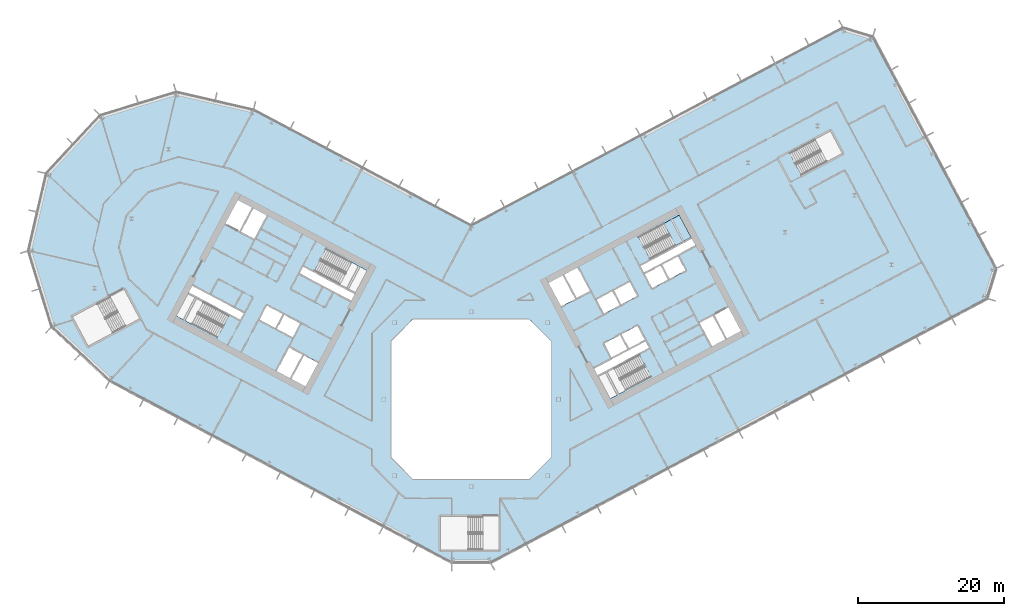
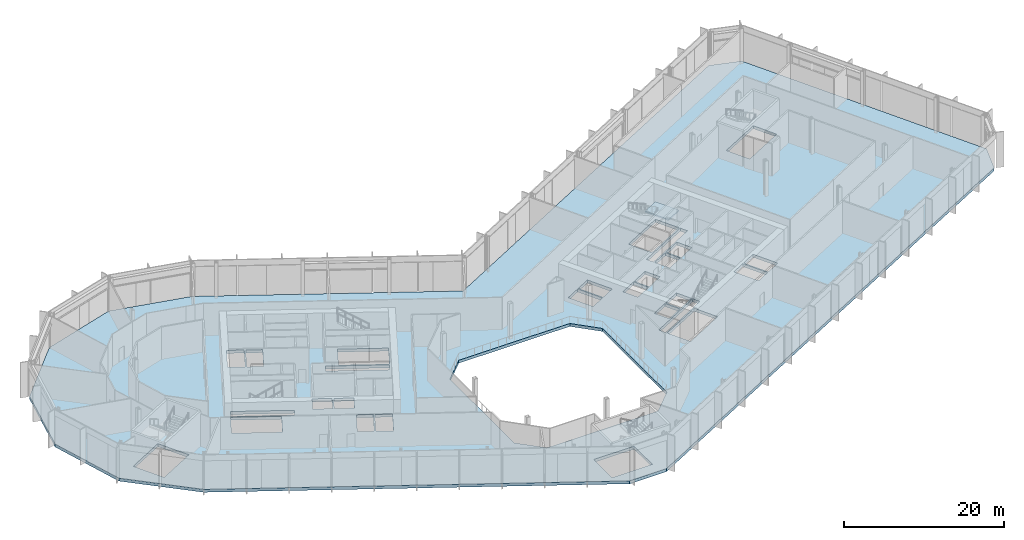
# One storey, part 10 of 30: 2 slabs, 1 element without a shape of its own.
"""IFC4 building model written with IfcOpenShell, lengths in metres."""

from ifc_helpers import new_model, si_unit, direction, frame, origin, place, context, subcontext, project, spatial, polyline, outline, extrude, material, layer, layer_set, type_object, element, aggregate, save


model = new_model("IFC4")

# Units and contexts
model_context = context("Model", 3, precision=1e-05, world=origin(), true_north=direction((0.0, 1.0)))
body_context = subcontext(model_context, "Body", "Model", "MODEL_VIEW")
ifc_project = project(units=[si_unit("LENGTHUNIT", "METRE"), si_unit("AREAUNIT", "SQUARE_METRE"), si_unit("VOLUMEUNIT", "CUBIC_METRE"), si_unit("PLANEANGLEUNIT", "RADIAN"), si_unit("MASSUNIT", "GRAM", prefix="KILO")], contexts=[model_context])

# Site, building, storey
site_placement = place(None, origin())
site = spatial("IfcSite", under=ifc_project, at=site_placement, CompositionType="ELEMENT")
building_placement = place(site_placement, origin())
building = spatial("IfcBuilding", under=site, at=building_placement, Name="Cormorant Relay Tower", CompositionType="ELEMENT")
storey_placement = place(building_placement, frame((0.0, 0.0, 55.39990234375)))
storey = spatial("IfcBuildingStorey", under=building, at=storey_placement, Name="L10", CompositionType="ELEMENT", Elevation=55.39990234375)

# Stair, slab
ifc_material_1 = material(Name="Concrete 40 MPa", Category="concrete")
stair_type = type_object("IfcStairType", Name="Exit stair 1500", PredefinedType="HALF_TURN_STAIR", material=ifc_material_1)
stair_placement = place(storey_placement, origin())
stair = element("IfcStair", 1, at=stair_placement, inside=storey, type_object=stair_type, Name="L10 Stair", PredefinedType="HALF_TURN_STAIR")
ifc_material_2 = material(Name="Concrete 40 MPa", Category="concrete")
ifc_layer_1 = layer(ifc_material_2, 0.199951171875)
ifc_layer_set_1 = layer_set([ifc_layer_1], Name="Exit stair landing 200")
slab_type_1 = type_object("IfcSlabType", Name="Exit stair landing 200", PredefinedType="LANDING", material=ifc_layer_set_1)
slab_1_placement = place(storey_placement, frame((0.0, 0.0, 2.5)))
slab_1 = element("IfcSlab", 2, at=slab_1_placement, type_object=slab_type_1, Name="B2 landing 1", PredefinedType="LANDING", context=body_context, shape_type="SweptSolid", body=[
    extrude(outline(polyline([(28.05322265625, 21.088623046875), (30.19873046875, 22.2294921875), (28.5791015625, 25.275634765625), (26.43359375, 24.134765625), (28.05322265625, 21.088623046875)])), origin(), (0.0, 0.0, 1.0), 0.2001953125),
])
aggregate(stair, [slab_1])

# Slab
ifc_material_3 = material(Name="Concrete 40 MPa", Category="concrete")
ifc_layer_2 = layer(ifc_material_3, 0.449951171875)
ifc_layer_set_2 = layer_set([ifc_layer_2], Name="Flat plate 450")
slab_type_2 = type_object("IfcSlabType", Name="Flat plate 450", PredefinedType="FLOOR", material=ifc_layer_set_2)
slab_2_placement = place(storey_placement, frame((0.0, 0.0, -0.449951171875)))
element("IfcSlab", 3, at=slab_2_placement, inside=storey, type_object=slab_type_2, Name="Floor slab L10", PredefinedType="FLOOR", context=body_context, shape_type="SweptSolid", body=[
    extrude(outline(polyline([(-60.7197265625, 20.393310546875), (-58.2744140625, 30.985107421875), (-50.86083984375, 38.935302734375), (-40.465576171875, 42.11328125), (-29.873779296875, 39.668212890625), (0.0, 23.783935546875), (51.064453125, 50.935302734375), (55.12158203125, 49.695068359375), (72.022705078125, 17.908935546875), (70.7822265625, 13.8515625), (2.648681640625, -22.37548828125), (-2.648681640625, -22.37548828125), (-49.591552734375, 2.584228515625), (-57.541748046875, 9.997802734375), (-60.7197265625, 20.393310546875)]), holes=[polyline([(11.0, -8.0), (11.0, 8.0), (8.0, 11.0), (-8.0, 11.0), (-11.0, 8.0), (-11.0, -8.0), (-8.0, -11.0), (8.0, -11.0), (11.0, -8.0)]), polyline([(-4.199951171875, -16.125), (-4.199951171875, -20.675048828125), (1.60009765625, -20.675048828125), (1.60009765625, -16.125), (-4.199951171875, -16.125)]), polyline([(-22.95458984375, 6.03271484375), (-24.668212890625, 2.81005859375), (-22.725830078125, 1.777099609375), (-21.01220703125, 5.0), (-23.04296875, 6.07958984375), (-22.95458984375, 6.03271484375)]), polyline([(-24.985595703125, 7.112548828125), (-26.69921875, 3.889892578125), (-24.844970703125, 2.90380859375), (-23.13134765625, 6.126708984375), (-23.04296875, 6.07958984375), (-24.985595703125, 7.112548828125)]), polyline([(-24.481201171875, 8.48681640625), (-23.448486328125, 10.42919921875), (-25.656005859375, 11.602783203125), (-26.688720703125, 9.660400390625), (-24.481201171875, 8.48681640625)]), polyline([(-49.57861328125, 14.0537109375), (-54.69970703125, 11.330810546875), (-52.563720703125, 7.3134765625), (-47.442626953125, 10.036376953125), (-49.57861328125, 14.0537109375)]), polyline([(-25.83251953125, 11.69677734375), (-28.039794921875, 12.870361328125), (-29.07275390625, 10.927978515625), (-26.865234375, 9.75439453125), (-25.83251953125, 11.69677734375)]), polyline([(-38.847900390625, 14.483154296875), (-40.46728515625, 11.43701171875), (-34.860595703125, 8.455810546875), (-33.240966796875, 11.502197265625), (-38.847900390625, 14.483154296875)]), polyline([(-38.260986328125, 15.5869140625), (-38.75390625, 14.659912109375), (-31.690185546875, 10.904052734375), (-31.197265625, 11.8310546875), (-38.260986328125, 15.5869140625)]), polyline([(14.3056640625, 13.779052734375), (12.592041015625, 17.001708984375), (10.649658203125, 15.968994140625), (12.36328125, 12.74609375), (14.39404296875, 13.825927734375), (14.3056640625, 13.779052734375)]), polyline([(16.33642578125, 14.85888671875), (14.622802734375, 18.08154296875), (12.768798828125, 17.095703125), (14.482421875, 13.872802734375), (14.39404296875, 13.825927734375), (16.33642578125, 14.85888671875)]), polyline([(-16.481689453125, 13.520263671875), (-15.989013671875, 14.447509765625), (-23.052490234375, 18.203125), (-23.54541015625, 17.276123046875), (-16.481689453125, 13.520263671875)]), polyline([(-21.501708984375, 17.605224609375), (-15.89501953125, 14.6240234375), (-14.275390625, 17.670166015625), (-19.882080078125, 20.6513671875), (-21.501708984375, 17.605224609375)]), polyline([(-31.611572265625, 22.980712890625), (-29.75732421875, 21.99462890625), (-28.043701171875, 25.217529296875), (-29.89794921875, 26.203369140625), (-31.611572265625, 22.980712890625)]), polyline([(-33.73046875, 24.107421875), (-31.7880859375, 23.074462890625), (-30.074462890625, 26.29736328125), (-32.01708984375, 27.330078125), (-33.73046875, 24.107421875)]), polyline([(23.087158203125, 6.10302734375), (17.48046875, 3.1220703125), (19.10009765625, 0.07568359375), (24.706787109375, 3.056884765625), (23.087158203125, 6.10302734375)]), polyline([(16.8935546875, 4.2255859375), (17.386474609375, 3.298583984375), (24.4501953125, 7.054443359375), (23.957275390625, 7.9814453125), (16.8935546875, 4.2255859375)]), polyline([(20.446533203125, 8.8330078125), (18.239013671875, 7.6591796875), (19.27197265625, 5.716796875), (21.479248046875, 6.890380859375), (20.446533203125, 8.8330078125)]), polyline([(20.623046875, 8.927001953125), (21.656005859375, 6.984375), (23.86328125, 8.158203125), (22.830322265625, 10.1005859375), (20.623046875, 8.927001953125)]), polyline([(33.197021484375, 11.478515625), (31.3427734375, 10.49267578125), (33.056396484375, 7.27001953125), (34.910400390625, 8.255859375), (33.197021484375, 11.478515625)]), polyline([(33.37353515625, 11.572509765625), (35.087158203125, 8.349609375), (37.029541015625, 9.382568359375), (35.31591796875, 12.605224609375), (33.37353515625, 11.572509765625)]), polyline([(17.19384765625, 13.67236328125), (18.2265625, 11.72998046875), (20.43408203125, 12.903564453125), (19.401123046875, 14.84619140625), (17.19384765625, 13.67236328125)]), polyline([(20.610595703125, 12.99755859375), (22.81787109375, 14.171142578125), (21.78515625, 16.113525390625), (19.57763671875, 14.93994140625), (20.610595703125, 12.99755859375)]), polyline([(26.023193359375, 18.3671875), (23.81591796875, 17.193359375), (24.8486328125, 15.2509765625), (27.05615234375, 16.424560546875), (26.023193359375, 18.3671875)]), polyline([(29.440185546875, 17.692138671875), (28.4072265625, 19.634765625), (26.19970703125, 18.4609375), (27.232666015625, 16.5185546875), (29.440185546875, 17.692138671875)]), polyline([(30.78564453125, 21.125732421875), (30.29248046875, 22.052978515625), (23.22900390625, 18.297119140625), (23.721923828125, 17.3701171875), (30.78564453125, 21.125732421875)]), polyline([(24.592041015625, 19.248291015625), (30.19873046875, 22.2294921875), (28.5791015625, 25.275634765625), (22.972412109375, 22.29443359375), (24.592041015625, 19.248291015625)]), polyline([(45.3349609375, 30.773681640625), (50.941650390625, 33.7548828125), (49.322021484375, 36.801025390625), (43.715087890625, 33.81982421875), (45.3349609375, 30.773681640625)])]), origin(), (0.0, 0.0, 1.0), 0.449951171875),
])

save(model, "model.ifc")
